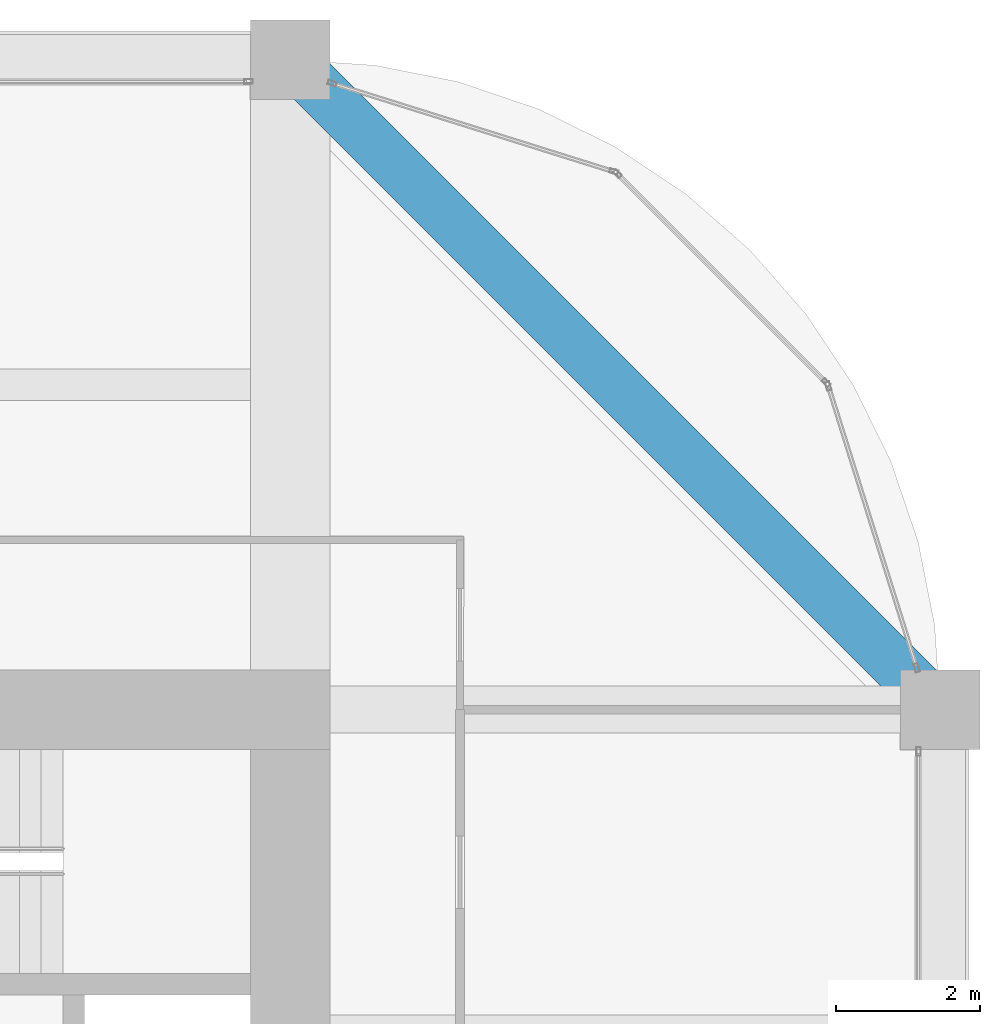
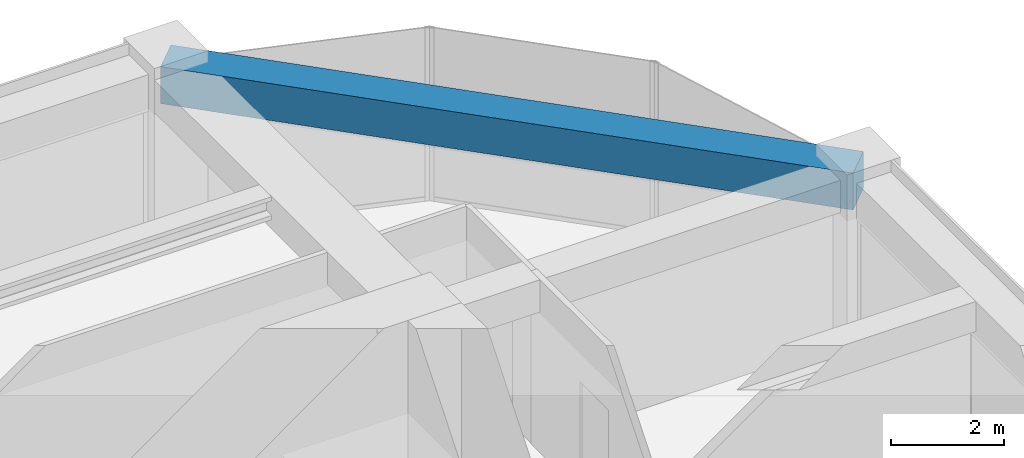
# One storey, part 38 of 44: 1 beam.
"""IFC4 building model written with IfcOpenShell, lengths in metres."""

from ifc_helpers import new_model, si_unit, direction, frame, origin, origin_2d, place, context, subcontext, project, spatial, rectangle, extrude, material, material_profile, profile_set, type_object, element, save


model = new_model("IFC4")

# Units and contexts
model_context = context("Model", 3, precision=1e-05, world=origin(), true_north=direction((0.0, 1.0)))
body_context = subcontext(model_context, "Body", "Model", "MODEL_VIEW")
ifc_project = project(units=[si_unit("LENGTHUNIT", "METRE"), si_unit("AREAUNIT", "SQUARE_METRE"), si_unit("VOLUMEUNIT", "CUBIC_METRE"), si_unit("PLANEANGLEUNIT", "RADIAN"), si_unit("MASSUNIT", "GRAM", prefix="KILO")], contexts=[model_context])

# Site, building, storey
site_placement = place(None, origin())
site = spatial("IfcSite", under=ifc_project, at=site_placement, CompositionType="ELEMENT")
building_placement = place(site_placement, origin())
building = spatial("IfcBuilding", under=site, at=building_placement, Name="Zorevar Civic Tower", CompositionType="ELEMENT")
storey_placement = place(building_placement, frame((0.0, 0.0, 295.39990234375)))
storey = spatial("IfcBuildingStorey", under=building, at=storey_placement, Name="L72", CompositionType="ELEMENT", Elevation=295.39990234375)

# Beam
ifc_material = material(Name="Concrete C50/60", Category="concrete")
ifc_material_profile = material_profile(ifc_material, rectangle(XDim=0.699951171875, YDim=0.800048828125, at=origin_2d()), Name="RC 700x800")
ifc_profile_set = profile_set([ifc_material_profile], Name="Concrete C50/60")
beam_type = type_object("IfcBeamType", Name="Edge beam RC 700x800", PredefinedType="SPANDREL", material=ifc_profile_set)
beam_placement = place(storey_placement, frame((54.0, 36.0, 3.35009765625), z_axis=(-0.707106781187, 0.707106781187, 0.0), x_axis=(-0.707106781187, -0.707106781187, 0.0)))
element("IfcBeam", 1, at=beam_placement, inside=storey, type_object=beam_type, Name="Corner edge beam L73", PredefinedType="SPANDREL", context=body_context, shape_type="SweptSolid", body=[
    extrude(rectangle(XDim=0.699951171875, YDim=0.800048828125, at=origin_2d()), origin(), (0.0, 0.0, 1.0), 12.72802734375),
])

save(model, "model.ifc")
